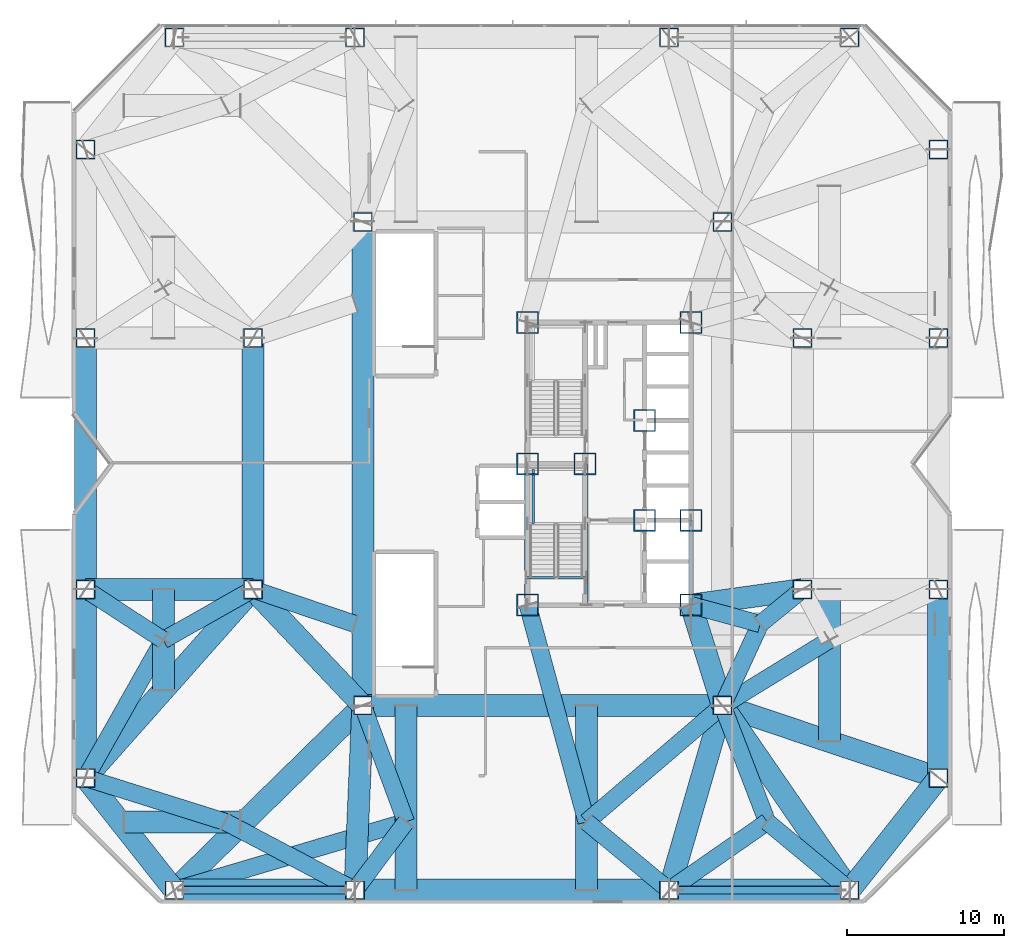
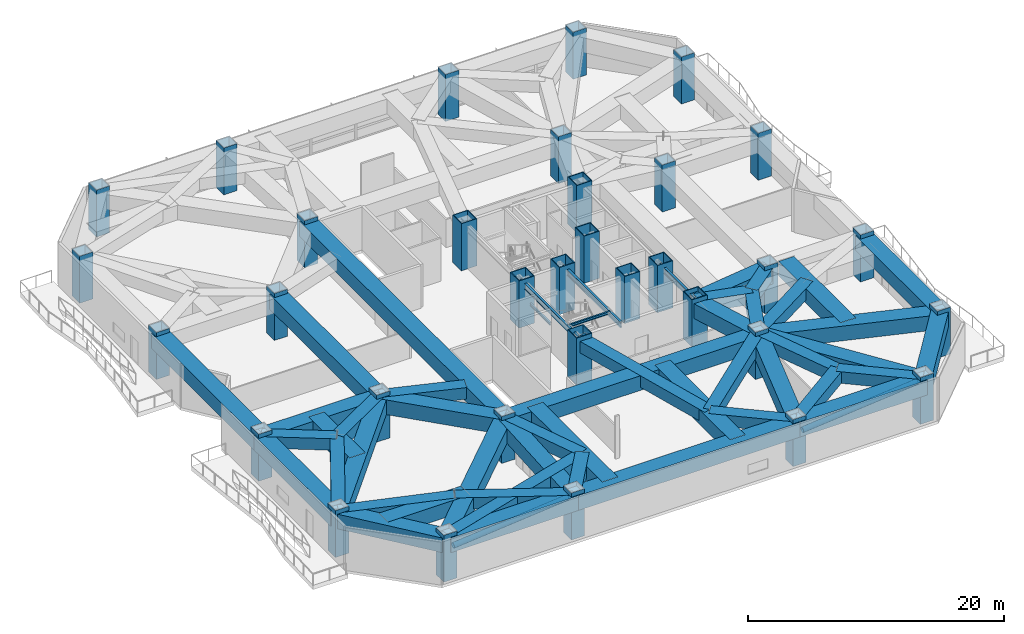
# One storey, part 1 of 27: 50 beams, 33 columns, 2 members.
"""IFC4 building model written with IfcOpenShell, lengths in metres."""

from ifc_helpers import new_model, si_unit, direction, frame, origin, origin_2d, place, context, subcontext, project, spatial, hollow_rectangle, hollow_circle, i_section, extrude, material, material_profile, profile_set, type_object, element, save


model = new_model("IFC4")

# Units and contexts
model_context = context("Model", 3, precision=1e-05, world=origin(), true_north=direction((0.0, 1.0)))
body_context = subcontext(model_context, "Body", "Model", "MODEL_VIEW")
ifc_project = project(units=[si_unit("LENGTHUNIT", "METRE"), si_unit("AREAUNIT", "SQUARE_METRE"), si_unit("VOLUMEUNIT", "CUBIC_METRE"), si_unit("PLANEANGLEUNIT", "RADIAN"), si_unit("MASSUNIT", "GRAM", prefix="KILO")], contexts=[model_context])

# Site, building, storey
site_placement = place(None, origin())
site = spatial("IfcSite", under=ifc_project, at=site_placement, CompositionType="ELEMENT")
building_placement = place(site_placement, origin())
building = spatial("IfcBuilding", under=site, at=building_placement, Name="Khamvora Tower", CompositionType="ELEMENT")
storey_placement = place(building_placement, frame((0.0, 0.0, 28.800048828125)))
storey = spatial("IfcBuildingStorey", under=building, at=storey_placement, Name="L06", CompositionType="ELEMENT", Elevation=28.800048828125)

# Columns
ifc_material_1 = material(Name="Steel S460", Category="steel")
ifc_material_profile_1 = material_profile(ifc_material_1, hollow_rectangle(XDim=1.199951171875, YDim=1.199951171875, WallThickness=0.06005859375, at=origin_2d()), Name="BOX1200x1200x60")
ifc_profile_set_1 = profile_set([ifc_material_profile_1], Name="Steel S460")
column_type_1 = type_object("IfcColumnType", Name="COL-BOX1200", PredefinedType="COLUMN", material=ifc_profile_set_1)
for number, where, z_axis, x_axis, name in (
    (1, (6.5, 0.85009765625, 0.0), (0.0, 0.0, 1.0), (1.0, 0.0, 0.0), "L06 structural frame column P01"),
    (2, (18.0, 0.85009765625, 0.0), (0.0, 0.0, 1.0), (1.0, 0.0, 0.0), "L06 structural frame column P02"),
    (3, (38.0, 0.85009765625, 0.0), (0.0, 0.0, 1.0), (1.0, 0.0, 0.0), "L06 structural frame column P03"),
    (4, (49.5, 0.85009765625, 0.0), (0.0, 0.0, 1.0), (1.0, 0.0, 0.0), "L06 structural frame column P04"),
    (5, (6.5, 55.14990234375, 0.0), (0.0, 0.0, 1.0), (1.0, 0.0, 0.0), "L06 structural frame column P05"),
    (6, (18.0, 55.14990234375, 0.0), (0.0, 0.0, 1.0), (1.0, 0.0, 0.0), "L06 structural frame column P06"),
    (7, (38.0, 55.14990234375, 0.0), (0.0, 0.0, 1.0), (1.0, 0.0, 0.0), "L06 structural frame column P07"),
    (8, (49.5, 55.14990234375, 0.0), (0.0, 0.0, 1.0), (1.0, 0.0, 0.0), "L06 structural frame column P08"),
    (9, (0.85009765625, 8.0, 0.0), (0.0, 0.0, 1.0), (1.0, 0.0, 0.0), "L06 structural frame column P09"),
    (10, (0.85009765625, 20.0, 0.0), (0.0, 0.0, 1.0), (1.0, 0.0, 0.0), "L06 structural frame column P10"),
    (11, (0.85009765625, 36.0, 0.0), (0.0, 0.0, 1.0), (1.0, 0.0, 0.0), "L06 structural frame column P11"),
    (12, (0.85009765625, 48.0, 0.0), (0.0, 0.0, 1.0), (1.0, 0.0, 0.0), "L06 structural frame column P12"),
    (13, (55.14990234375, 8.0, 0.0), (0.0, 0.0, 1.0), (1.0, 0.0, 0.0), "L06 structural frame column P13"),
    (14, (55.14990234375, 20.0, 0.0), (0.0, 0.0, 1.0), (1.0, 0.0, 0.0), "L06 structural frame column P14"),
    (15, (55.14990234375, 36.0, 0.0), (0.0, 0.0, 1.0), (1.0, 0.0, 0.0), "L06 structural frame column P15"),
    (16, (55.14990234375, 48.0, 0.0), (0.0, 0.0, 1.0), (1.0, 0.0, 0.0), "L06 structural frame column P16"),
    (17, (18.5, 12.60009765625, 0.0), (0.0, 0.0, 1.0), (1.0, 0.0, 0.0), "L06 structural frame column P17"),
    (18, (41.39990234375, 12.60009765625, 0.0), (0.0, 0.0, 1.0), (1.0, 0.0, 0.0), "L06 structural frame column P18"),
    (19, (18.5, 43.39990234375, 0.0), (0.0, 0.0, 1.0), (1.0, 0.0, 0.0), "L06 structural frame column P19"),
    (20, (41.39990234375, 43.39990234375, 0.0), (0.0, 0.0, 1.0), (1.0, 0.0, 0.0), "L06 structural frame column P20"),
    (21, (11.5, 20.0, 0.0), (0.0, 0.0, 1.0), (1.0, 0.0, 0.0), "L06 structural frame column P21"),
    (22, (11.5, 36.0, 0.0), (0.0, 0.0, 1.0), (1.0, 0.0, 0.0), "L06 structural frame column P22"),
    (23, (46.5, 20.0, 0.0), (0.0, 0.0, 1.0), (1.0, 0.0, 0.0), "L06 structural frame column P23"),
    (24, (46.5, 36.0, 0.0), (0.0, 0.0, 1.0), (1.0, 0.0, 0.0), "L06 structural frame column P24"),
):
    element("IfcColumn", number, at=place(storey_placement, frame(where, z_axis=z_axis, x_axis=x_axis)), inside=storey, type_object=column_type_1, Name=name, PredefinedType="COLUMN", context=body_context, shape_type="SweptSolid", body=[
        extrude(hollow_rectangle(XDim=1.199951171875, YDim=1.199951171875, WallThickness=0.06005859375, at=origin_2d()), origin(), (0.0, 0.0, 1.0), 4.474853515625),
    ])
ifc_material_profile_2 = material_profile(ifc_material_1, hollow_rectangle(XDim=1.39990234375, YDim=1.39990234375, WallThickness=0.070068359375, at=origin_2d()), Name="BOX1400x1400x70")
ifc_profile_set_2 = profile_set([ifc_material_profile_2], Name="Steel S460")
column_type_2 = type_object("IfcColumnType", Name="COL-BOX1400", PredefinedType="COLUMN", material=ifc_profile_set_2)
for number, where, z_axis, x_axis, name in (
    (25, (29.0, 19.0, 0.0), (0.0, 0.0, 1.0), (1.0, 0.0, 0.0), "L06 plumb core spine column SC1"),
    (26, (32.64990234375, 28.0, 0.0), (0.0, 0.0, 1.0), (1.0, 0.0, 0.0), "L06 plumb core spine column SC2"),
    (27, (39.39990234375, 19.0, 0.0), (0.0, 0.0, 1.0), (1.0, 0.0, 0.0), "L06 plumb core spine column SC3"),
    (28, (29.0, 28.0, 0.0), (0.0, 0.0, 1.0), (1.0, 0.0, 0.0), "L06 plumb core spine column SC4"),
    (29, (36.449951171875, 24.39990234375, 0.0), (0.0, 0.0, 1.0), (1.0, 0.0, 0.0), "L06 plumb core spine column SC5"),
    (30, (39.39990234375, 24.39990234375, 0.0), (0.0, 0.0, 1.0), (1.0, 0.0, 0.0), "L06 plumb core spine column SC6"),
    (31, (29.0, 37.0, 0.0), (0.0, 0.0, 1.0), (1.0, 0.0, 0.0), "L06 plumb core spine column SC7"),
    (32, (36.449951171875, 30.75, 0.0), (0.0, 0.0, 1.0), (1.0, 0.0, 0.0), "L06 plumb core spine column SC8"),
    (33, (39.39990234375, 37.0, 0.0), (0.0, 0.0, 1.0), (1.0, 0.0, 0.0), "L06 plumb core spine column SC9"),
):
    element("IfcColumn", number, at=place(storey_placement, frame(where, z_axis=z_axis, x_axis=x_axis)), inside=storey, type_object=column_type_2, Name=name, PredefinedType="COLUMN", context=body_context, shape_type="SweptSolid", body=[
        extrude(hollow_rectangle(XDim=1.39990234375, YDim=1.39990234375, WallThickness=0.070068359375, at=origin_2d()), origin(), (0.0, 0.0, 1.0), 4.5),
    ])

# Beams
ifc_material_2 = material(Name="Steel S355", Category="steel")
ifc_material_profile_3 = material_profile(ifc_material_2, i_section(OverallWidth=0.14697265625, OverallDepth=0.261962890625, WebThickness=0.007080078125, FlangeThickness=0.010986328125, FilletRadius=0.008056640625, at=origin_2d()), Name="W250x39")
ifc_profile_set_3 = profile_set([ifc_material_profile_3], Name="Steel S355")
beam_type_1 = type_object("IfcBeamType", Name="BM-LN-W250x39", PredefinedType="LINTEL", material=ifc_profile_set_3)
beam_1_placement = place(storey_placement, frame((29.35009765625, 24.195068359375, 1.9189453125), z_axis=(0.0, 1.0, 0.0), x_axis=(-1.0, 0.0, 0.0)))
element("IfcBeam", 34, at=beam_1_placement, inside=storey, type_object=beam_type_1, Name="L06 ST-01 half-landing edge stringer 1", PredefinedType="LINTEL", context=body_context, shape_type="SweptSolid", body=[
    extrude(i_section(OverallWidth=0.14697265625, OverallDepth=0.261962890625, WebThickness=0.007080078125, FlangeThickness=0.010986328125, FilletRadius=0.008056640625, at=origin_2d()), origin(), (0.0, 0.0, 1.0), 3.434814453125),
])
beam_2_placement = place(storey_placement, frame((28.89990234375, 20.75, 3.953857421875), z_axis=(1.0, 0.0, 0.0), x_axis=(0.0, 1.0, 0.0)))
element("IfcBeam", 35, at=beam_2_placement, inside=storey, type_object=beam_type_1, Name="L06 exit stair ST-01 landing trimmer beam", PredefinedType="LINTEL", context=body_context, shape_type="SweptSolid", body=[
    extrude(i_section(OverallWidth=0.14697265625, OverallDepth=0.261962890625, WebThickness=0.007080078125, FlangeThickness=0.010986328125, FilletRadius=0.008056640625, at=origin_2d()), origin(), (0.0, 0.0, 1.0), 3.830078125),
])
ifc_material_profile_4 = material_profile(ifc_material_2, i_section(OverallWidth=0.208984375, OverallDepth=0.532958984375, WebThickness=0.010009765625, FlangeThickness=0.01611328125, FilletRadius=0.013916015625, at=origin_2d()), Name="W530x92")
ifc_profile_set_4 = profile_set([ifc_material_profile_4], Name="Steel S355")
beam_type_2 = type_object("IfcBeamType", Name="BM-SP-W530x92", PredefinedType="SPANDREL", material=ifc_profile_set_4)
for number, where, z_axis, x_axis, name in (
    (36, (28.89990234375, 19.0, 3.81396484375), (0.0, 1.0, 0.0), (-1.0, 0.0, 0.0), "L06 core spine girder WS"),
    (37, (32.72998046875, 19.0, 3.81396484375), (0.0, 1.0, 0.0), (-1.0, 0.0, 0.0), "L06 core spine girder M1S"),
):
    element("IfcBeam", number, at=place(storey_placement, frame(where, z_axis=z_axis, x_axis=x_axis)), inside=storey, type_object=beam_type_2, Name=name, PredefinedType="SPANDREL", context=body_context, shape_type="SweptSolid", body=[
        extrude(i_section(OverallWidth=0.208984375, OverallDepth=0.532958984375, WebThickness=0.010009765625, FlangeThickness=0.01611328125, FilletRadius=0.013916015625, at=origin_2d()), origin(), (0.0, 0.0, 1.0), 9.0),
    ])
beam_3_placement = place(storey_placement, frame((39.39990234375, 19.0, 3.81396484375), z_axis=(0.0, 1.0, 0.0), x_axis=(-1.0, 0.0, 0.0)))
element("IfcBeam", 38, at=beam_3_placement, inside=storey, type_object=beam_type_2, Name="L06 core spine girder ES", PredefinedType="SPANDREL", context=body_context, shape_type="SweptSolid", body=[
    extrude(i_section(OverallWidth=0.208984375, OverallDepth=0.532958984375, WebThickness=0.010009765625, FlangeThickness=0.01611328125, FilletRadius=0.013916015625, at=origin_2d()), origin(), (0.0, 0.0, 1.0), 5.39990234375),
])
ifc_material_profile_5 = material_profile(ifc_material_1, hollow_rectangle(XDim=1.10009765625, YDim=1.10009765625, WallThickness=0.054931640625, at=origin_2d()), Name="BOX1100x1100x55")
ifc_profile_set_5 = profile_set([ifc_material_profile_5], Name="Steel S460")
beam_type_3 = type_object("IfcBeamType", Name="BM-TG-BOX1100", PredefinedType="BEAM", material=ifc_profile_set_5)
beam_4_placement = place(storey_placement, frame((18.0, 0.85009765625, 3.530029296875), z_axis=(-0.884575580342, 0.466396872483, 0.0), x_axis=(-0.466396872483, -0.884575580342, 0.0)))
element("IfcBeam", 39, at=beam_4_placement, inside=storey, type_object=beam_type_3, Name="L06 setback frame transfer frame transfer link S1.2", PredefinedType="BEAM", context=body_context, shape_type="SweptSolid", body=[
    extrude(hollow_rectangle(XDim=1.10009765625, YDim=1.10009765625, WallThickness=0.054931640625, at=origin_2d()), origin(), (0.0, 0.0, 1.0), 9.326416015625),
])
beam_5_placement = place(storey_placement, frame((0.85009765625, 8.0, 3.530029296875), z_axis=(0.953903643522, -0.300113043495, 0.0), x_axis=(0.300113043495, 0.953903643522, 0.0)))
element("IfcBeam", 40, at=beam_5_placement, inside=storey, type_object=beam_type_3, Name="L06 setback frame transfer frame transfer link S1.3", PredefinedType="BEAM", context=body_context, shape_type="SweptSolid", body=[
    extrude(hollow_rectangle(XDim=1.10009765625, YDim=1.10009765625, WallThickness=0.054931640625, at=origin_2d()), origin(), (0.0, 0.0, 1.0), 9.330078125),
])
beam_6_placement = place(storey_placement, frame((18.0, 0.85009765625, 3.530029296875), z_axis=(0.598538623606, 0.801093949579, 0.0), x_axis=(-0.801093949579, 0.598538623606, 0.0)))
element("IfcBeam", 41, at=beam_6_placement, inside=storey, type_object=beam_type_3, Name="L06 setback frame transfer frame transfer link S2.1", PredefinedType="BEAM", context=body_context, shape_type="SweptSolid", body=[
    extrude(hollow_rectangle(XDim=1.10009765625, YDim=1.10009765625, WallThickness=0.054931640625, at=origin_2d()), origin(), (0.0, 0.0, 1.0), 5.429931640625),
])
beam_7_placement = place(storey_placement, frame((18.5, 12.60009765625, 3.530029296875), z_axis=(0.348339486267, -0.937368445334, 0.0), x_axis=(0.937368445334, 0.348339486267, 0.0)))
element("IfcBeam", 42, at=beam_7_placement, inside=storey, type_object=beam_type_3, Name="L06 setback frame transfer frame transfer link S2.2", PredefinedType="BEAM", context=body_context, shape_type="SweptSolid", body=[
    extrude(hollow_rectangle(XDim=1.10009765625, YDim=1.10009765625, WallThickness=0.054931640625, at=origin_2d()), origin(), (0.0, 0.0, 1.0), 7.89453125),
])
beam_8_placement = place(storey_placement, frame((6.5, 0.85009765625, 3.530029296875), z_axis=(0.959160733095, 0.282861605892, 0.0), x_axis=(-0.282861605892, 0.959160733095, 0.0)))
element("IfcBeam", 43, at=beam_8_placement, inside=storey, type_object=beam_type_3, Name="L06 setback frame transfer frame transfer link S2.3", PredefinedType="BEAM", context=body_context, shape_type="SweptSolid", body=[
    extrude(hollow_rectangle(XDim=1.10009765625, YDim=1.10009765625, WallThickness=0.054931640625, at=origin_2d()), origin(), (0.0, 0.0, 1.0), 15.3779296875),
])
beam_9_placement = place(storey_placement, frame((38.0, 0.85009765625, 3.530029296875), z_axis=(-0.770032116246, 0.638005125332, 0.0), x_axis=(-0.638005125332, -0.770032116246, 0.0)))
element("IfcBeam", 44, at=beam_9_placement, inside=storey, type_object=beam_type_3, Name="L06 setback frame transfer frame transfer link S3.1", PredefinedType="BEAM", context=body_context, shape_type="SweptSolid", body=[
    extrude(hollow_rectangle(XDim=1.10009765625, YDim=1.10009765625, WallThickness=0.054931640625, at=origin_2d()), origin(), (0.0, 0.0, 1.0), 6.81787109375),
])
beam_10_placement = place(storey_placement, frame((41.39990234375, 12.60009765625, 3.530029296875), z_axis=(-0.75986637212, -0.650079300179, 0.0), x_axis=(0.650079300179, -0.75986637212, 0.0)))
element("IfcBeam", 45, at=beam_10_placement, inside=storey, type_object=beam_type_3, Name="L06 setback frame transfer frame transfer link S3.2", PredefinedType="BEAM", context=body_context, shape_type="SweptSolid", body=[
    extrude(hollow_rectangle(XDim=1.10009765625, YDim=1.10009765625, WallThickness=0.054931640625, at=origin_2d()), origin(), (0.0, 0.0, 1.0), 11.383544921875),
])
beam_11_placement = place(storey_placement, frame((29.0, 19.0, 3.530029296875), z_axis=(0.262228883577, -0.965005706003, 0.0), x_axis=(0.965005706003, 0.262228883577, 0.0)))
element("IfcBeam", 46, at=beam_11_placement, inside=storey, type_object=beam_type_3, Name="L06 setback frame transfer frame transfer link S3.3", PredefinedType="BEAM", context=body_context, shape_type="SweptSolid", body=[
    extrude(hollow_rectangle(XDim=1.10009765625, YDim=1.10009765625, WallThickness=0.054931640625, at=origin_2d()), origin(), (0.0, 0.0, 1.0), 14.300537109375),
])
beam_12_placement = place(storey_placement, frame((49.5, 0.85009765625, 3.530029296875), z_axis=(-0.770032116246, 0.638005125332, 0.0), x_axis=(-0.638005125332, -0.770032116246, 0.0)))
element("IfcBeam", 47, at=beam_12_placement, inside=storey, type_object=beam_type_3, Name="L06 setback frame transfer frame transfer link S4.1", PredefinedType="BEAM", context=body_context, shape_type="SweptSolid", body=[
    extrude(hollow_rectangle(XDim=1.10009765625, YDim=1.10009765625, WallThickness=0.054931640625, at=origin_2d()), origin(), (0.0, 0.0, 1.0), 6.81787109375),
])
beam_13_placement = place(storey_placement, frame((38.0, 0.85009765625, 3.530029296875), z_axis=(0.820780366055, 0.571243897734, 0.0), x_axis=(-0.571243897734, 0.820780366055, 0.0)))
element("IfcBeam", 48, at=beam_13_placement, inside=storey, type_object=beam_type_3, Name="L06 setback frame transfer frame transfer link S4.2", PredefinedType="BEAM", context=body_context, shape_type="SweptSolid", body=[
    extrude(hollow_rectangle(XDim=1.10009765625, YDim=1.10009765625, WallThickness=0.054931640625, at=origin_2d()), origin(), (0.0, 0.0, 1.0), 7.61474609375),
])
beam_14_placement = place(storey_placement, frame((41.39990234375, 12.60009765625, 3.530029296875), z_axis=(0.359406090735, -0.933181258889, 0.0), x_axis=(0.933181258889, 0.359406090735, 0.0)))
element("IfcBeam", 49, at=beam_14_placement, inside=storey, type_object=beam_type_3, Name="L06 setback frame transfer frame transfer link S4.3", PredefinedType="BEAM", context=body_context, shape_type="SweptSolid", body=[
    extrude(hollow_rectangle(XDim=1.10009765625, YDim=1.10009765625, WallThickness=0.054931640625, at=origin_2d()), origin(), (0.0, 0.0, 1.0), 7.929931640625),
])
beam_15_placement = place(storey_placement, frame((0.85009765625, 20.0, 3.530029296875), z_axis=(0.837853035048, -0.545895861553, 0.0), x_axis=(0.545895861553, 0.837853035048, 0.0)))
element("IfcBeam", 50, at=beam_15_placement, inside=storey, type_object=beam_type_3, Name="L06 setback frame transfer frame transfer link W1.1", PredefinedType="BEAM", context=body_context, shape_type="SweptSolid", body=[
    extrude(hollow_rectangle(XDim=1.10009765625, YDim=1.10009765625, WallThickness=0.054931640625, at=origin_2d()), origin(), (0.0, 0.0, 1.0), 5.907958984375),
])
beam_16_placement = place(storey_placement, frame((11.5, 20.0, 3.530029296875), z_axis=(-0.87034126921, -0.492449058391, 0.0), x_axis=(0.492449058391, -0.87034126921, 0.0)))
element("IfcBeam", 51, at=beam_16_placement, inside=storey, type_object=beam_type_3, Name="L06 setback frame transfer frame transfer link W1.2", PredefinedType="BEAM", context=body_context, shape_type="SweptSolid", body=[
    extrude(hollow_rectangle(XDim=1.10009765625, YDim=1.10009765625, WallThickness=0.054931640625, at=origin_2d()), origin(), (0.0, 0.0, 1.0), 6.549072265625),
])
beam_17_placement = place(storey_placement, frame((0.85009765625, 8.0, 3.530029296875), z_axis=(0.491321658295, 0.870978201846, 0.0), x_axis=(-0.870978201846, 0.491321658295, 0.0)))
element("IfcBeam", 52, at=beam_17_placement, inside=storey, type_object=beam_type_3, Name="L06 setback frame transfer frame transfer link W1.3", PredefinedType="BEAM", context=body_context, shape_type="SweptSolid", body=[
    extrude(hollow_rectangle(XDim=1.10009765625, YDim=1.10009765625, WallThickness=0.054931640625, at=origin_2d()), origin(), (0.0, 0.0, 1.0), 10.07470703125),
])
beam_18_placement = place(storey_placement, frame((41.39990234375, 12.60009765625, 3.530029296875), z_axis=(0.852208323889, 0.523202611514, 0.0), x_axis=(-0.523202611514, 0.852208323889, 0.0)))
element("IfcBeam", 53, at=beam_18_placement, inside=storey, type_object=beam_type_3, Name="L06 setback frame transfer frame transfer link E1.3", PredefinedType="BEAM", context=body_context, shape_type="SweptSolid", body=[
    extrude(hollow_rectangle(XDim=1.10009765625, YDim=1.10009765625, WallThickness=0.054931640625, at=origin_2d()), origin(), (0.0, 0.0, 1.0), 7.979248046875),
])
beam_19_placement = place(storey_placement, frame((11.5, 20.0, 3.530029296875), z_axis=(0.947218130348, -0.320589790136, 0.0), x_axis=(0.320589790136, 0.947218130348, 0.0)))
element("IfcBeam", 54, at=beam_19_placement, inside=storey, type_object=beam_type_3, Name="L06 setback frame transfer frame transfer link MW1.2", PredefinedType="BEAM", context=body_context, shape_type="SweptSolid", body=[
    extrude(hollow_rectangle(XDim=1.10009765625, YDim=1.10009765625, WallThickness=0.054931640625, at=origin_2d()), origin(), (0.0, 0.0, 1.0), 6.8623046875),
])
beam_20_placement = place(storey_placement, frame((46.5, 20.0, 3.530029296875), z_axis=(-0.77523625691, -0.631671390814, 0.0), x_axis=(0.631671390814, -0.77523625691, 0.0)))
element("IfcBeam", 55, at=beam_20_placement, inside=storey, type_object=beam_type_3, Name="L06 setback frame transfer frame transfer link M1.1", PredefinedType="BEAM", context=body_context, shape_type="SweptSolid", body=[
    extrude(hollow_rectangle(XDim=1.10009765625, YDim=1.10009765625, WallThickness=0.054931640625, at=origin_2d()), origin(), (0.0, 0.0, 1.0), 3.482666015625),
])
beam_21_placement = place(storey_placement, frame((39.39990234375, 19.0, 3.530029296875), z_axis=(0.964768762286, -0.263099287945, 0.0), x_axis=(0.263099287945, 0.964768762286, 0.0)))
element("IfcBeam", 56, at=beam_21_placement, inside=storey, type_object=beam_type_3, Name="L06 setback frame transfer frame transfer link M1.2", PredefinedType="BEAM", context=body_context, shape_type="SweptSolid", body=[
    extrude(hollow_rectangle(XDim=1.10009765625, YDim=1.10009765625, WallThickness=0.054931640625, at=origin_2d()), origin(), (0.0, 0.0, 1.0), 4.560791015625),
])
beam_22_placement = place(storey_placement, frame((41.39990234375, 12.60009765625, 3.530029296875), z_axis=(0.419082506848, 0.907948155158, 0.0), x_axis=(-0.907948155158, 0.419082506848, 0.0)))
element("IfcBeam", 57, at=beam_22_placement, inside=storey, type_object=beam_type_3, Name="L06 setback frame transfer frame transfer link M1.3", PredefinedType="BEAM", context=body_context, shape_type="SweptSolid", body=[
    extrude(hollow_rectangle(XDim=1.10009765625, YDim=1.10009765625, WallThickness=0.054931640625, at=origin_2d()), origin(), (0.0, 0.0, 1.0), 5.72705078125),
])
ifc_material_profile_6 = material_profile(ifc_material_1, hollow_rectangle(XDim=1.39990234375, YDim=1.39990234375, WallThickness=0.070068359375, at=origin_2d()), Name="BOX1400x1400x70")
ifc_profile_set_6 = profile_set([ifc_material_profile_6], Name="Steel S460")
beam_type_4 = type_object("IfcBeamType", Name="BM-TG-BOX1400", PredefinedType="BEAM", material=ifc_profile_set_6)
beam_23_placement = place(storey_placement, frame((0.85009765625, 20.0, 3.3798828125), z_axis=(0.0, -1.0, 0.0), x_axis=(1.0, 0.0, 0.0)))
element("IfcBeam", 58, at=beam_23_placement, inside=storey, type_object=beam_type_4, Name="L06 perimeter spandrel beam P10-P09", PredefinedType="BEAM", context=body_context, shape_type="SweptSolid", body=[
    extrude(hollow_rectangle(XDim=1.39990234375, YDim=1.39990234375, WallThickness=0.070068359375, at=origin_2d()), origin(), (0.0, 0.0, 1.0), 12.0),
])
beam_24_placement = place(storey_placement, frame((0.85009765625, 8.0, 3.3798828125), z_axis=(0.619998635429, -0.784602888133, 0.0), x_axis=(0.784602888133, 0.619998635429, 0.0)))
element("IfcBeam", 59, at=beam_24_placement, inside=storey, type_object=beam_type_4, Name="L06 perimeter spandrel beam P09-P01", PredefinedType="BEAM", context=body_context, shape_type="SweptSolid", body=[
    extrude(hollow_rectangle(XDim=1.39990234375, YDim=1.39990234375, WallThickness=0.070068359375, at=origin_2d()), origin(), (0.0, 0.0, 1.0), 9.11279296875),
])
beam_25_placement = place(storey_placement, frame((6.5, 0.85009765625, 3.3798828125), z_axis=(1.0, 0.0, 0.0), x_axis=(0.0, 1.0, 0.0)))
element("IfcBeam", 60, at=beam_25_placement, inside=storey, type_object=beam_type_4, Name="L06 perimeter spandrel beam P01-P02", PredefinedType="BEAM", context=body_context, shape_type="SweptSolid", body=[
    extrude(hollow_rectangle(XDim=1.39990234375, YDim=1.39990234375, WallThickness=0.070068359375, at=origin_2d()), origin(), (0.0, 0.0, 1.0), 11.5),
])
beam_26_placement = place(storey_placement, frame((18.0, 0.85009765625, 3.3798828125), z_axis=(1.0, 0.0, 0.0), x_axis=(0.0, 1.0, 0.0)))
element("IfcBeam", 61, at=beam_26_placement, inside=storey, type_object=beam_type_4, Name="L06 perimeter spandrel beam P02-P03", PredefinedType="BEAM", context=body_context, shape_type="SweptSolid", body=[
    extrude(hollow_rectangle(XDim=1.39990234375, YDim=1.39990234375, WallThickness=0.070068359375, at=origin_2d()), origin(), (0.0, 0.0, 1.0), 20.0),
])
beam_27_placement = place(storey_placement, frame((38.0, 0.85009765625, 3.3798828125), z_axis=(1.0, 0.0, 0.0), x_axis=(0.0, 1.0, 0.0)))
element("IfcBeam", 62, at=beam_27_placement, inside=storey, type_object=beam_type_4, Name="L06 perimeter spandrel beam P03-P04", PredefinedType="BEAM", context=body_context, shape_type="SweptSolid", body=[
    extrude(hollow_rectangle(XDim=1.39990234375, YDim=1.39990234375, WallThickness=0.070068359375, at=origin_2d()), origin(), (0.0, 0.0, 1.0), 11.5),
])
beam_28_placement = place(storey_placement, frame((49.5, 0.85009765625, 3.3798828125), z_axis=(0.619998635429, 0.784602888133, 0.0), x_axis=(-0.784602888133, 0.619998635429, 0.0)))
element("IfcBeam", 63, at=beam_28_placement, inside=storey, type_object=beam_type_4, Name="L06 perimeter spandrel beam P04-P13", PredefinedType="BEAM", context=body_context, shape_type="SweptSolid", body=[
    extrude(hollow_rectangle(XDim=1.39990234375, YDim=1.39990234375, WallThickness=0.070068359375, at=origin_2d()), origin(), (0.0, 0.0, 1.0), 9.11279296875),
])
beam_29_placement = place(storey_placement, frame((55.14990234375, 8.0, 3.3798828125), z_axis=(0.0, 1.0, 0.0), x_axis=(-1.0, 0.0, 0.0)))
element("IfcBeam", 64, at=beam_29_placement, inside=storey, type_object=beam_type_4, Name="L06 perimeter spandrel beam P13-P14", PredefinedType="BEAM", context=body_context, shape_type="SweptSolid", body=[
    extrude(hollow_rectangle(XDim=1.39990234375, YDim=1.39990234375, WallThickness=0.070068359375, at=origin_2d()), origin(), (0.0, 0.0, 1.0), 12.0),
])
beam_30_placement = place(storey_placement, frame((0.85009765625, 36.0, 3.3798828125), z_axis=(0.0, -1.0, 0.0), x_axis=(1.0, 0.0, 0.0)))
element("IfcBeam", 65, at=beam_30_placement, inside=storey, type_object=beam_type_4, Name="L06 perimeter spandrel beam P11-P10", PredefinedType="BEAM", context=body_context, shape_type="SweptSolid", body=[
    extrude(hollow_rectangle(XDim=1.39990234375, YDim=1.39990234375, WallThickness=0.070068359375, at=origin_2d()), origin(), (0.0, 0.0, 1.0), 16.0),
])
beam_31_placement = place(storey_placement, frame((18.5, 12.60009765625, 3.3798828125), z_axis=(0.0, 1.0, 0.0), x_axis=(-1.0, 0.0, 0.0)))
element("IfcBeam", 66, at=beam_31_placement, inside=storey, type_object=beam_type_4, Name="L06 longitudinal frame girder P17-P19", PredefinedType="BEAM", context=body_context, shape_type="SweptSolid", body=[
    extrude(hollow_rectangle(XDim=1.39990234375, YDim=1.39990234375, WallThickness=0.070068359375, at=origin_2d()), origin(), (0.0, 0.0, 1.0), 30.7998046875),
])
beam_32_placement = place(storey_placement, frame((18.5, 12.60009765625, 3.3798828125), z_axis=(1.0, 0.0, 0.0), x_axis=(0.0, 1.0, 0.0)))
element("IfcBeam", 67, at=beam_32_placement, inside=storey, type_object=beam_type_4, Name="L06 longitudinal frame girder P17-P18", PredefinedType="BEAM", context=body_context, shape_type="SweptSolid", body=[
    extrude(hollow_rectangle(XDim=1.39990234375, YDim=1.39990234375, WallThickness=0.070068359375, at=origin_2d()), origin(), (0.0, 0.0, 1.0), 22.89990234375),
])
beam_33_placement = place(storey_placement, frame((11.5, 20.0, 3.3798828125), z_axis=(0.0, 1.0, 0.0), x_axis=(-1.0, 0.0, 0.0)))
element("IfcBeam", 68, at=beam_33_placement, inside=storey, type_object=beam_type_4, Name="L06 longitudinal frame girder P21-P22", PredefinedType="BEAM", context=body_context, shape_type="SweptSolid", body=[
    extrude(hollow_rectangle(XDim=1.39990234375, YDim=1.39990234375, WallThickness=0.070068359375, at=origin_2d()), origin(), (0.0, 0.0, 1.0), 16.0),
])
beam_34_placement = place(storey_placement, frame((18.5, 12.60009765625, 3.3798828125), z_axis=(-0.714510426493, -0.699624792608, 0.0), x_axis=(0.699624792608, -0.714510426493, 0.0)))
element("IfcBeam", 69, at=beam_34_placement, inside=storey, type_object=beam_type_4, Name="L06 primary floor girder P01", PredefinedType="BEAM", context=body_context, shape_type="SweptSolid", body=[
    extrude(hollow_rectangle(XDim=1.39990234375, YDim=1.39990234375, WallThickness=0.070068359375, at=origin_2d()), origin(), (0.0, 0.0, 1.0), 16.794677734375),
])
beam_35_placement = place(storey_placement, frame((18.5, 12.60009765625, 3.3798828125), z_axis=(-0.042514716625, -0.999095840683, 0.0), x_axis=(0.999095840683, -0.042514716625, 0.0)))
element("IfcBeam", 70, at=beam_35_placement, inside=storey, type_object=beam_type_4, Name="L06 primary floor girder P02", PredefinedType="BEAM", context=body_context, shape_type="SweptSolid", body=[
    extrude(hollow_rectangle(XDim=1.39990234375, YDim=1.39990234375, WallThickness=0.070068359375, at=origin_2d()), origin(), (0.0, 0.0, 1.0), 11.7607421875),
])
beam_36_placement = place(storey_placement, frame((41.39990234375, 12.60009765625, 3.3798828125), z_axis=(-0.277951455854, -0.960595121885, 0.0), x_axis=(0.960595121885, -0.277951455854, 0.0)))
element("IfcBeam", 71, at=beam_36_placement, inside=storey, type_object=beam_type_4, Name="L06 primary floor girder P03", PredefinedType="BEAM", context=body_context, shape_type="SweptSolid", body=[
    extrude(hollow_rectangle(XDim=1.39990234375, YDim=1.39990234375, WallThickness=0.070068359375, at=origin_2d()), origin(), (0.0, 0.0, 1.0), 12.23193359375),
])
beam_37_placement = place(storey_placement, frame((41.39990234375, 12.60009765625, 3.3798828125), z_axis=(0.567573841069, -0.823322497527, 0.0), x_axis=(0.823322497527, 0.567573841069, 0.0)))
element("IfcBeam", 72, at=beam_37_placement, inside=storey, type_object=beam_type_4, Name="L06 primary floor girder P04", PredefinedType="BEAM", context=body_context, shape_type="SweptSolid", body=[
    extrude(hollow_rectangle(XDim=1.39990234375, YDim=1.39990234375, WallThickness=0.070068359375, at=origin_2d()), origin(), (0.0, 0.0, 1.0), 14.271484375),
])
beam_38_placement = place(storey_placement, frame((11.5, 20.0, 3.3798828125), z_axis=(-0.6637799472, -0.747927925468, 0.0), x_axis=(0.747927925468, -0.6637799472, 0.0)))
element("IfcBeam", 73, at=beam_38_placement, inside=storey, type_object=beam_type_4, Name="L06 primary floor girder P09", PredefinedType="BEAM", context=body_context, shape_type="SweptSolid", body=[
    extrude(hollow_rectangle(XDim=1.39990234375, YDim=1.39990234375, WallThickness=0.070068359375, at=origin_2d()), origin(), (0.0, 0.0, 1.0), 16.04443359375),
])
beam_39_placement = place(storey_placement, frame((11.5, 20.0, 3.3798828125), z_axis=(-1.0, 0.0, 0.0), x_axis=(0.0, -1.0, 0.0)))
element("IfcBeam", 74, at=beam_39_placement, inside=storey, type_object=beam_type_4, Name="L06 primary floor girder P10", PredefinedType="BEAM", context=body_context, shape_type="SweptSolid", body=[
    extrude(hollow_rectangle(XDim=1.39990234375, YDim=1.39990234375, WallThickness=0.070068359375, at=origin_2d()), origin(), (0.0, 0.0, 1.0), 10.64990234375),
])
beam_40_placement = place(storey_placement, frame((41.39990234375, 12.60009765625, 3.3798828125), z_axis=(0.948335857324, -0.31726818579, 0.0), x_axis=(0.31726818579, 0.948335857324, 0.0)))
element("IfcBeam", 75, at=beam_40_placement, inside=storey, type_object=beam_type_4, Name="L06 primary floor girder P13", PredefinedType="BEAM", context=body_context, shape_type="SweptSolid", body=[
    extrude(hollow_rectangle(XDim=1.39990234375, YDim=1.39990234375, WallThickness=0.070068359375, at=origin_2d()), origin(), (0.0, 0.0, 1.0), 14.4990234375),
])
beam_41_placement = place(storey_placement, frame((39.39990234375, 19.0, 3.3798828125), z_axis=(0.298279139585, -0.95447868226, 0.0), x_axis=(0.95447868226, 0.298279139585, 0.0)))
element("IfcBeam", 76, at=beam_41_placement, inside=storey, type_object=beam_type_4, Name="L06 primary floor girder P18", PredefinedType="BEAM", context=body_context, shape_type="SweptSolid", body=[
    extrude(hollow_rectangle(XDim=1.39990234375, YDim=1.39990234375, WallThickness=0.070068359375, at=origin_2d()), origin(), (0.0, 0.0, 1.0), 6.705078125),
])
beam_42_placement = place(storey_placement, frame((18.5, 12.60009765625, 3.3798828125), z_axis=(-0.687204640029, 0.726463889483, 0.0), x_axis=(-0.726463889483, -0.687204640029, 0.0)))
element("IfcBeam", 77, at=beam_42_placement, inside=storey, type_object=beam_type_4, Name="L06 primary floor girder P21", PredefinedType="BEAM", context=body_context, shape_type="SweptSolid", body=[
    extrude(hollow_rectangle(XDim=1.39990234375, YDim=1.39990234375, WallThickness=0.070068359375, at=origin_2d()), origin(), (0.0, 0.0, 1.0), 10.186279296875),
])
beam_43_placement = place(storey_placement, frame((39.39990234375, 19.0, 3.3798828125), z_axis=(0.990226770029, 0.139466640879, 0.0), x_axis=(-0.139466640879, 0.990226770029, 0.0)))
element("IfcBeam", 78, at=beam_43_placement, inside=storey, type_object=beam_type_4, Name="L06 primary floor girder P23", PredefinedType="BEAM", context=body_context, shape_type="SweptSolid", body=[
    extrude(hollow_rectangle(XDim=1.39990234375, YDim=1.39990234375, WallThickness=0.070068359375, at=origin_2d()), origin(), (0.0, 0.0, 1.0), 7.170166015625),
])
beam_44_placement = place(storey_placement, frame((3.302978515625, 5.199951171875, 3.3798828125), z_axis=(1.0, 0.0, 0.0), x_axis=(0.0, 1.0, 0.0)))
element("IfcBeam", 79, at=beam_44_placement, inside=storey, type_object=beam_type_4, Name="L06 setback frame transfer Box Girder S1", PredefinedType="BEAM", context=body_context, shape_type="SweptSolid", body=[
    extrude(hollow_rectangle(XDim=1.39990234375, YDim=1.39990234375, WallThickness=0.070068359375, at=origin_2d()), origin(), (0.0, 0.0, 1.0), 7.39990234375),
])
for number, where, z_axis, x_axis, name in (
    (80, (21.25, 0.85009765625, 3.3798828125), (0.0, 1.0, 0.0), (-1.0, 0.0, 0.0), "L06 setback frame transfer Box Girder S2"),
    (81, (32.75, 0.85009765625, 3.3798828125), (0.0, 1.0, 0.0), (-1.0, 0.0, 0.0), "L06 setback frame transfer Box Girder S3"),
):
    element("IfcBeam", number, at=place(storey_placement, frame(where, z_axis=z_axis, x_axis=x_axis)), inside=storey, type_object=beam_type_4, Name=name, PredefinedType="BEAM", context=body_context, shape_type="SweptSolid", body=[
        extrude(hollow_rectangle(XDim=1.39990234375, YDim=1.39990234375, WallThickness=0.070068359375, at=origin_2d()), origin(), (0.0, 0.0, 1.0), 11.75),
    ])
beam_45_placement = place(storey_placement, frame((5.800048828125, 13.576904296875, 3.3798828125), z_axis=(0.0, 1.0, 0.0), x_axis=(-1.0, 0.0, 0.0)))
element("IfcBeam", 82, at=beam_45_placement, inside=storey, type_object=beam_type_4, Name="L06 setback frame transfer Box Girder W1", PredefinedType="BEAM", context=body_context, shape_type="SweptSolid", body=[
    extrude(hollow_rectangle(XDim=1.39990234375, YDim=1.39990234375, WallThickness=0.070068359375, at=origin_2d()), origin(), (0.0, 0.0, 1.0), 6.423095703125),
])
beam_46_placement = place(storey_placement, frame((48.199951171875, 10.324951171875, 3.3798828125), z_axis=(0.0, 1.0, 0.0), x_axis=(-1.0, 0.0, 0.0)))
element("IfcBeam", 83, at=beam_46_placement, inside=storey, type_object=beam_type_4, Name="L06 setback frame transfer Box Girder E1", PredefinedType="BEAM", context=body_context, shape_type="SweptSolid", body=[
    extrude(hollow_rectangle(XDim=1.39990234375, YDim=1.39990234375, WallThickness=0.070068359375, at=origin_2d()), origin(), (0.0, 0.0, 1.0), 9.675048828125),
])

# Members
ifc_material_profile_7 = material_profile(ifc_material_1, hollow_circle(Radius=0.25390625, WallThickness=0.02490234375, at=origin_2d()), Name="CHS508x25")
ifc_profile_set_7 = profile_set([ifc_material_profile_7], Name="Steel S460")
member_type = type_object("IfcMemberType", Name="MEM-BR-CHS508", PredefinedType="BRACE", material=ifc_profile_set_7)
for number, where, z_axis, x_axis, name in (
    (84, (7.076904296875, 0.85009765625, 2.73486328125), (0.995524249911, 0.0, 0.094506443376), (0.0, 1.0, 0.0), "L06 perimeter wind brace 1"),
    (85, (38.576904296875, 0.85009765625, 2.73486328125), (0.995524249911, 0.0, 0.094506443376), (0.0, 1.0, 0.0), "L06 perimeter wind brace 2"),
):
    element("IfcMember", number, at=place(storey_placement, frame(where, z_axis=z_axis, x_axis=x_axis)), inside=storey, type_object=member_type, Name=name, PredefinedType="BRACE", context=body_context, shape_type="SweptSolid", body=[
        extrude(hollow_circle(Radius=0.25390625, WallThickness=0.02490234375, at=origin_2d()), origin(), (0.0, 0.0, 1.0), 10.392822265625),
    ])

save(model, "model.ifc")
